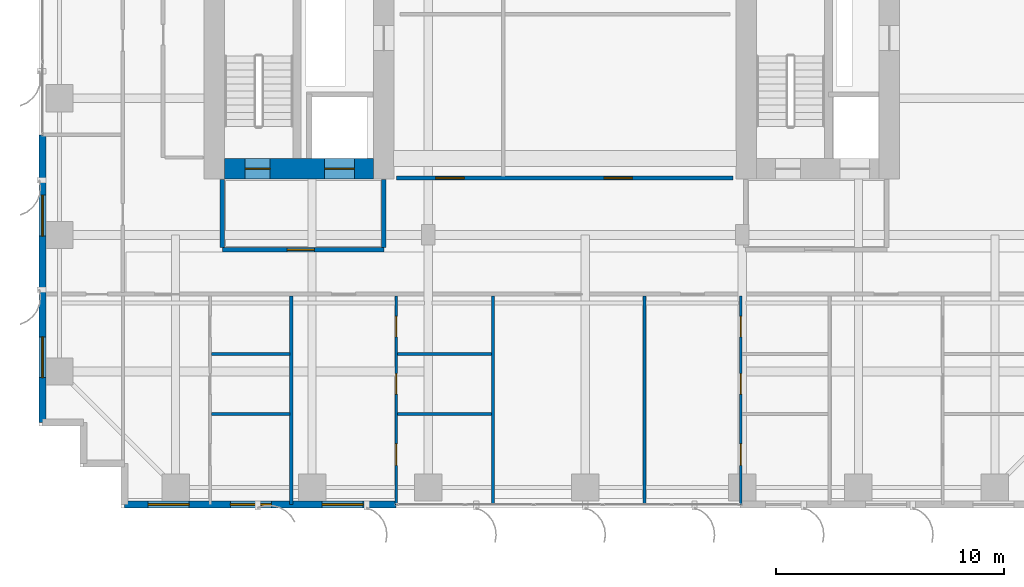
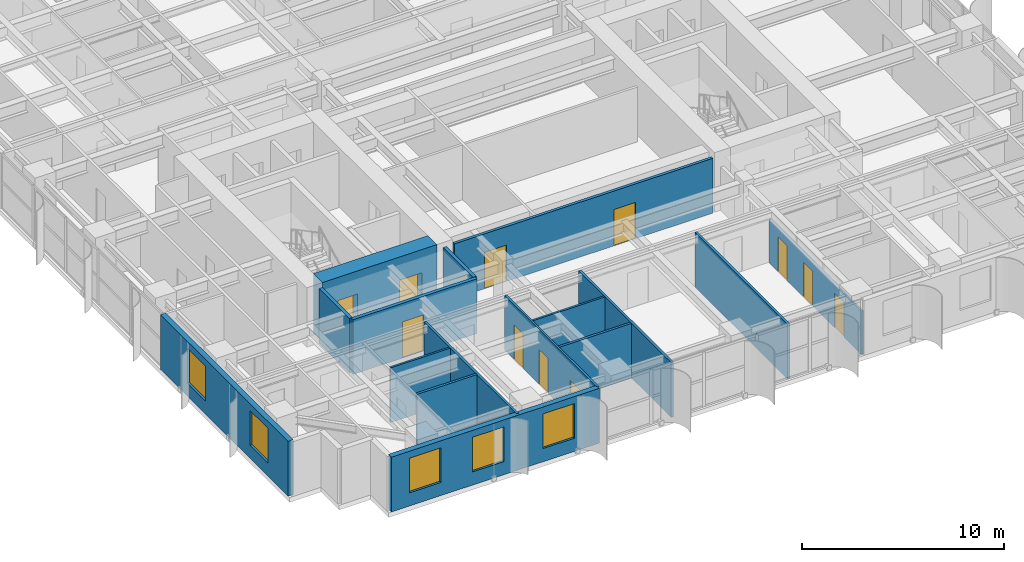
# One storey, part 15 of 23: 16 walls, 11 doors, 5 windows, 16 openings.
"""IFC4 building model written with IfcOpenShell, lengths in metres."""

from ifc_helpers import new_model, si_unit, direction, frame, frame_2d, origin, place, context, subcontext, project, spatial, rectangle, extrude, source, transform, mapped, material, layer, layer_set, type_object, element, fill, save


model = new_model("IFC4")

# Units and contexts
model_context = context("Model", 3, precision=1e-05, world=origin(), true_north=direction((0.0, 1.0)))
body_context = subcontext(model_context, "Body", "Model", "MODEL_VIEW")
ifc_project = project(units=[si_unit("LENGTHUNIT", "METRE"), si_unit("AREAUNIT", "SQUARE_METRE"), si_unit("VOLUMEUNIT", "CUBIC_METRE"), si_unit("PLANEANGLEUNIT", "RADIAN"), si_unit("MASSUNIT", "GRAM", prefix="KILO")], contexts=[model_context])

# Site, building, storey
site_placement = place(None, origin())
site = spatial("IfcSite", under=ifc_project, at=site_placement, CompositionType="ELEMENT")
building_placement = place(site_placement, origin())
building = spatial("IfcBuilding", under=site, at=building_placement, Name="Khoralis Quay Care Tower", CompositionType="ELEMENT")
storey_placement = place(building_placement, frame((0.0, 0.0, 33.300048828125)))
storey = spatial("IfcBuildingStorey", under=building, at=storey_placement, Name="L08", CompositionType="ELEMENT", Elevation=33.300048828125)

# Wall, opening, door
ifc_material_1 = material(Name="Gypsum plasterboard on acoustic metal stud")
ifc_layer_1 = layer(ifc_material_1, 0.199951171875)
ifc_layer_set_1 = layer_set([ifc_layer_1], Name="Gypsum plasterboard on acoustic metal stud")
wall_type_1 = type_object("IfcWallType", Name="WL-COMP-200", PredefinedType="PARTITIONING", material=ifc_layer_set_1)
wall_1_placement = place(storey_placement, frame((8.050048828125, 11.35009765625, 0.0), z_axis=(0.0, 0.0, 1.0), x_axis=(1.0, 0.0, 0.0)))
wall_1 = element("IfcWall", 1, at=wall_1_placement, inside=storey, type_object=wall_type_1, Name="L08 West Firefighting Lobby South Wall", PredefinedType="PARTITIONING", context=body_context, shape_type="SweptSolid", body=[
    extrude(rectangle(XDim=7.099853515625, YDim=0.199951171875, at=frame_2d((3.5498046875, 0.0))), origin(), (0.0, 0.0, 1.0), 3.320068359375),
])
opening_1_placement = place(wall_1_placement, frame((2.846435546875, 0.0, 0.0)))
opening_1 = element("IfcOpeningElement", 2, at=opening_1_placement, cuts=wall_1, Name="Opening FD1", PredefinedType="OPENING", context=body_context, shape_type="SweptSolid", body=[
    extrude(rectangle(XDim=1.199951171875, YDim=2.199951171875, at=frame_2d((0.60009765625, 1.10009765625))), frame((0.0, 0.10986328125, 0.0), z_axis=(0.0, -1.0, 0.0), x_axis=(1.0, 0.0, 0.0)), (0.0, 0.0, 1.0), 0.219970703125),
])
ifc_material_2 = material(Name="Fire-rated painted steel", Category="steel")
door_type_1 = type_object("IfcDoorType", Name="DR-FFL-1200X2200", OperationType="NOTDEFINED", PredefinedType="DOOR", material=ifc_material_2)
shared_shape_1 = source(origin(), body_context, "Body", "SweptSolid", [
    extrude(rectangle(XDim=1.199951171875, YDim=2.199951171875, at=frame_2d((0.60009765625, 1.10009765625))), frame((0.0, 0.02490234375, 0.0), z_axis=(0.0, -1.0, 0.0), x_axis=(1.0, 0.0, 0.0)), (0.0, 0.0, 1.0), 0.050048828125),
])
door_1_placement = place(opening_1_placement, origin())
door_1 = element("IfcDoor", 3, at=door_1_placement, inside=storey, type_object=door_type_1, Name="L08 West Firefighting Lobby Fire Door", OperationType="SINGLE_SWING_RIGHT", OverallHeight=2.199951171875, OverallWidth=1.199951171875, PredefinedType="DOOR", context=body_context, shape_type="MappedRepresentation", body=[
    mapped(shared_shape_1, transform((0.0, 0.0, 0.0), scale=1.0)),
])
fill(opening_1, door_1)

# Walls
for number, where, z_axis, x_axis, name in (
    (4, (8.050048828125, 11.445068359375, 0.0), (0.0, 0.0, 1.0), (0.0, 1.0, 0.0), "L08 West Firefighting Lobby West Wall"),
    (5, (15.14990234375, 11.445068359375, 0.0), (0.0, 0.0, 1.0), (0.0, 1.0, 0.0), "L08 West Firefighting Lobby East Wall"),
):
    element("IfcWall", number, at=place(storey_placement, frame(where, z_axis=z_axis, x_axis=x_axis)), inside=storey, type_object=wall_type_1, Name=name, PredefinedType="PARTITIONING", context=body_context, shape_type="SweptSolid", body=[
        extrude(rectangle(XDim=2.98486328125, YDim=0.199951171875, at=frame_2d((1.492431640625, 0.0))), origin(), (0.0, 0.0, 1.0), 3.320068359375),
    ])

# Wall, openings, doors
ifc_material_3 = material(Name="Concrete C80/95", Category="concrete")
ifc_layer_2 = layer(ifc_material_3, 0.89990234375)
ifc_layer_set_2 = layer_set([ifc_layer_2], Name="Concrete C80/95")
wall_type_2 = type_object("IfcWallType", Name="WL-CORE-900", PredefinedType="SHEAR", material=ifc_layer_set_2)
wall_2_placement = place(storey_placement, frame((8.14990234375, 14.89990234375, 0.0), z_axis=(0.0, 0.0, 1.0), x_axis=(1.0, 0.0, 0.0)))
wall_2 = element("IfcWall", 6, at=wall_2_placement, inside=storey, type_object=wall_type_2, Name="L08 WCORE South Shear Wall", PredefinedType="SHEAR", context=body_context, shape_type="SweptSolid", body=[
    extrude(rectangle(XDim=6.550048828125, YDim=0.89990234375, at=frame_2d((3.27490234375, 0.0))), origin(), (0.0, 0.0, 1.0), 3.599853515625),
])
opening_2_placement = place(wall_2_placement, frame((0.89990234375, 0.0, 0.0)))
opening_2 = element("IfcOpeningElement", 7, at=opening_2_placement, cuts=wall_2, Name="Opening SD1", PredefinedType="OPENING", context=body_context, shape_type="SweptSolid", body=[
    extrude(rectangle(XDim=1.10009765625, YDim=2.199951171875, at=frame_2d((0.550048828125, 1.10009765625))), frame((0.0, 0.4599609375, 0.0), z_axis=(0.0, -1.0, 0.0), x_axis=(1.0, 0.0, 0.0)), (0.0, 0.0, 1.0), 0.919921875),
])
opening_3_placement = place(wall_2_placement, frame((4.39990234375, 0.0, 0.0)))
opening_3 = element("IfcOpeningElement", 8, at=opening_3_placement, cuts=wall_2, Name="Opening LD2", PredefinedType="OPENING", context=body_context, shape_type="SweptSolid", body=[
    extrude(rectangle(XDim=1.300048828125, YDim=2.199951171875, at=frame_2d((0.64990234375, 1.10009765625))), frame((0.0, 0.4599609375, 0.0), z_axis=(0.0, -1.0, 0.0), x_axis=(1.0, 0.0, 0.0)), (0.0, 0.0, 1.0), 0.919921875),
])
door_type_2 = type_object("IfcDoorType", Name="DR-STAIR-1100X2200", OperationType="NOTDEFINED", PredefinedType="DOOR", material=ifc_material_2)
shared_shape_2 = source(origin(), body_context, "Body", "SweptSolid", [
    extrude(rectangle(XDim=1.10009765625, YDim=2.199951171875, at=frame_2d((0.550048828125, 1.10009765625))), frame((0.0, 0.02490234375, 0.0), z_axis=(0.0, -1.0, 0.0), x_axis=(1.0, 0.0, 0.0)), (0.0, 0.0, 1.0), 0.050048828125),
])
door_2_placement = place(opening_2_placement, origin())
door_2 = element("IfcDoor", 9, at=door_2_placement, inside=storey, type_object=door_type_2, Name="L08 Stair ST-T1 Fire Door", OperationType="SINGLE_SWING_RIGHT", OverallHeight=2.199951171875, OverallWidth=1.10009765625, PredefinedType="DOOR", context=body_context, shape_type="MappedRepresentation", body=[
    mapped(shared_shape_2, transform((0.0, 0.0, 0.0), scale=1.0)),
])
fill(opening_2, door_2)
ifc_material_4 = material(Name="Brushed stainless steel", Category="steel")
door_type_3 = type_object("IfcDoorType", Name="DR-LIFT-1300X2200", OperationType="SLIDING_TO_RIGHT", PredefinedType="DOOR", material=ifc_material_4)
shared_shape_3 = source(origin(), body_context, "Body", "SweptSolid", [
    extrude(rectangle(XDim=1.300048828125, YDim=2.199951171875, at=frame_2d((0.64990234375, 1.10009765625))), frame((0.0, 0.02490234375, 0.0), z_axis=(0.0, -1.0, 0.0), x_axis=(1.0, 0.0, 0.0)), (0.0, 0.0, 1.0), 0.050048828125),
])
door_3_placement = place(opening_3_placement, origin())
door_3 = element("IfcDoor", 10, at=door_3_placement, inside=storey, type_object=door_type_3, Name="L08 Firefighting Lift FFL-1 Landing Door", OperationType="SLIDING_TO_RIGHT", OverallHeight=2.199951171875, OverallWidth=1.300048828125, PredefinedType="DOOR", context=body_context, shape_type="MappedRepresentation", body=[
    mapped(shared_shape_3, transform((0.0, 0.0, 0.0), scale=1.0)),
])
fill(opening_3, door_3)

ifc_layer_3 = layer(ifc_material_1, 0.1650390625)
ifc_layer_set_3 = layer_set([ifc_layer_3], Name="Gypsum plasterboard on acoustic metal stud")
wall_type_3 = type_object("IfcWallType", Name="WL-CORR-165", PredefinedType="PARTITIONING", material=ifc_layer_set_3)
wall_3_placement = place(storey_placement, frame((15.699951171875, 14.5, 0.0), z_axis=(0.0, 0.0, 1.0), x_axis=(1.0, 0.0, 0.0)))
wall_3 = element("IfcWall", 11, at=wall_3_placement, inside=storey, type_object=wall_type_3, Name="L08 Central Clinical South Wall", PredefinedType="PARTITIONING", context=body_context, shape_type="SweptSolid", body=[
    extrude(rectangle(XDim=14.800048828125, YDim=0.1650390625, at=frame_2d((7.39990234375, 0.0))), origin(), (0.0, 0.0, 1.0), 3.320068359375),
])
opening_4_placement = place(wall_3_placement, frame((1.72509765625, 0.0, 0.0)))
opening_4 = element("IfcOpeningElement", 12, at=opening_4_placement, cuts=wall_3, Name="Opening CD1", PredefinedType="OPENING", context=body_context, shape_type="SweptSolid", body=[
    extrude(rectangle(XDim=1.25, YDim=2.199951171875, at=frame_2d((0.625, 1.10009765625))), frame((0.0, 0.092529296875, 0.0), z_axis=(0.0, -1.0, 0.0), x_axis=(1.0, 0.0, 0.0)), (0.0, 0.0, 1.0), 0.18505859375),
])
opening_5_placement = place(wall_3_placement, frame((9.125, 0.0, 0.0)))
opening_5 = element("IfcOpeningElement", 13, at=opening_5_placement, cuts=wall_3, Name="Opening CD1", PredefinedType="OPENING", context=body_context, shape_type="SweptSolid", body=[
    extrude(rectangle(XDim=1.25, YDim=2.199951171875, at=frame_2d((0.625, 1.10009765625))), frame((0.0, 0.092529296875, 0.0), z_axis=(0.0, -1.0, 0.0), x_axis=(1.0, 0.0, 0.0)), (0.0, 0.0, 1.0), 0.18505859375),
])
ifc_material_5 = material(Name="Acoustic hardwood timber", Category="wood")
door_type_4 = type_object("IfcDoorType", Name="DR-CARE-1250X2200", OperationType="NOTDEFINED", PredefinedType="DOOR", material=ifc_material_5)
shared_shape_4 = source(origin(), body_context, "Body", "SweptSolid", [
    extrude(rectangle(XDim=1.25, YDim=2.199951171875, at=frame_2d((0.625, 1.10009765625))), frame((0.0, 0.02490234375, 0.0), z_axis=(0.0, -1.0, 0.0), x_axis=(1.0, 0.0, 0.0)), (0.0, 0.0, 1.0), 0.050048828125),
])
door_4_placement = place(opening_4_placement, origin())
door_4 = element("IfcDoor", 14, at=door_4_placement, inside=storey, type_object=door_type_4, Name="L08 Nurse Station Door", OperationType="SINGLE_SWING_LEFT", OverallHeight=2.199951171875, OverallWidth=1.25, PredefinedType="DOOR", context=body_context, shape_type="MappedRepresentation", body=[
    mapped(shared_shape_4, transform((0.0, 0.0, 0.0), scale=1.0)),
])
fill(opening_4, door_4)
door_5_placement = place(opening_5_placement, origin())
door_5 = element("IfcDoor", 15, at=door_5_placement, inside=storey, type_object=door_type_4, Name="L08 Treatment Clinic Door", OperationType="SINGLE_SWING_RIGHT", OverallHeight=2.199951171875, OverallWidth=1.25, PredefinedType="DOOR", context=body_context, shape_type="MappedRepresentation", body=[
    mapped(shared_shape_4, transform((0.0, 0.0, 0.0), scale=1.0)),
])
fill(opening_5, door_5)

# Wall, openings, windows
ifc_material_6 = material(Name="Precast concrete C45/55", Category="concrete")
ifc_layer_4 = layer(ifc_material_6, 0.300048828125)
ifc_layer_set_4 = layer_set([ifc_layer_4], Name="Precast concrete C45/55")
wall_type_4 = type_object("IfcWallType", Name="WL-EXT-REF-300", PredefinedType="SOLIDWALL", material=ifc_layer_set_4)
wall_4_placement = place(storey_placement, frame((3.75, 0.14990234375, 0.0), z_axis=(0.0, 0.0, 1.0), x_axis=(1.0, 0.0, 0.0)))
wall_4 = element("IfcWall", 16, at=wall_4_placement, inside=storey, type_object=wall_type_4, Name="L08 External Facade Wall WL-EXT-L08-P1-E0A", PredefinedType="SOLIDWALL", context=body_context, shape_type="SweptSolid", body=[
    extrude(rectangle(XDim=11.93701171875, YDim=0.300048828125, at=frame_2d((5.968505859375, 0.0))), origin(), (0.0, 0.0, 1.0), 3.320068359375),
])
opening_6_placement = place(wall_4_placement, frame((1.0390625, 0.0, 0.800048828125)))
opening_6 = element("IfcOpeningElement", 17, at=opening_6_placement, cuts=wall_4, Name="Opening W2", PredefinedType="OPENING", context=body_context, shape_type="SweptSolid", body=[
    extrude(rectangle(XDim=1.800048828125, YDim=2.10009765625, at=frame_2d((0.89990234375, 1.050048828125))), frame((0.0, 0.16015625, 0.0), z_axis=(0.0, -1.0, 0.0), x_axis=(1.0, 0.0, 0.0)), (0.0, 0.0, 1.0), 0.320068359375),
])
opening_7_placement = place(wall_4_placement, frame((4.654052734375, 0.0, 0.800048828125)))
opening_7 = element("IfcOpeningElement", 18, at=opening_7_placement, cuts=wall_4, Name="Opening W2", PredefinedType="OPENING", context=body_context, shape_type="SweptSolid", body=[
    extrude(rectangle(XDim=1.800048828125, YDim=2.10009765625, at=frame_2d((0.89990234375, 1.050048828125))), frame((0.0, 0.16015625, 0.0), z_axis=(0.0, -1.0, 0.0), x_axis=(1.0, 0.0, 0.0)), (0.0, 0.0, 1.0), 0.320068359375),
])
opening_8_placement = place(wall_4_placement, frame((8.68359375, 0.0, 0.800048828125)))
opening_8 = element("IfcOpeningElement", 19, at=opening_8_placement, cuts=wall_4, Name="Opening W2", PredefinedType="OPENING", context=body_context, shape_type="SweptSolid", body=[
    extrude(rectangle(XDim=1.800048828125, YDim=2.10009765625, at=frame_2d((0.89990234375, 1.050048828125))), frame((0.0, 0.16015625, 0.0), z_axis=(0.0, -1.0, 0.0), x_axis=(1.0, 0.0, 0.0)), (0.0, 0.0, 1.0), 0.320068359375),
])
ifc_material_7 = material(Name="Low-E solar-control double glazing", Category="glass")
window_type = type_object("IfcWindowType", Name="WN-POD-1800X2100", PartitioningType="SINGLE_PANEL", PredefinedType="WINDOW", material=ifc_material_7)
shared_shape_5 = source(origin(), body_context, "Body", "SweptSolid", [
    extrude(rectangle(XDim=1.800048828125, YDim=2.10009765625, at=frame_2d((0.89990234375, 1.050048828125))), frame((0.0, 0.030029296875, 0.0), z_axis=(0.0, -1.0, 0.0), x_axis=(1.0, 0.0, 0.0)), (0.0, 0.0, 1.0), 0.06005859375),
])
window_1_placement = place(opening_6_placement, origin())
window_1 = element("IfcWindow", 20, at=window_1_placement, inside=storey, type_object=window_type, Name="WN-L08-P1-E0A Facade Window 01", OverallHeight=2.10009765625, OverallWidth=1.800048828125, PartitioningType="SINGLE_PANEL", PredefinedType="WINDOW", context=body_context, shape_type="MappedRepresentation", body=[
    mapped(shared_shape_5, transform((0.0, 0.0, 0.0), scale=1.0)),
])
fill(opening_6, window_1)
window_2_placement = place(opening_7_placement, origin())
window_2 = element("IfcWindow", 21, at=window_2_placement, inside=storey, type_object=window_type, Name="WN-L08-P1-E0A Facade Window 02", OverallHeight=2.10009765625, OverallWidth=1.800048828125, PartitioningType="SINGLE_PANEL", PredefinedType="WINDOW", context=body_context, shape_type="MappedRepresentation", body=[
    mapped(shared_shape_5, transform((0.0, 0.0, 0.0), scale=1.0)),
])
fill(opening_7, window_2)
window_3_placement = place(opening_8_placement, origin())
window_3 = element("IfcWindow", 22, at=window_3_placement, inside=storey, type_object=window_type, Name="WN-L08-P1-E0A Facade Window 03", OverallHeight=2.10009765625, OverallWidth=1.800048828125, PartitioningType="SINGLE_PANEL", PredefinedType="WINDOW", context=body_context, shape_type="MappedRepresentation", body=[
    mapped(shared_shape_5, transform((0.0, 0.0, 0.0), scale=1.0)),
])
fill(opening_8, window_3)

wall_5_placement = place(storey_placement, frame((0.14990234375, 16.39990234375, 0.0), z_axis=(0.0, 0.0, 1.0), x_axis=(0.0, -1.0, 0.0)))
wall_5 = element("IfcWall", 23, at=wall_5_placement, inside=storey, type_object=wall_type_4, Name="L08 External Facade Wall WL-EXT-L08-P1-E15B", PredefinedType="SOLIDWALL", context=body_context, shape_type="SweptSolid", body=[
    extrude(rectangle(XDim=12.64990234375, YDim=0.300048828125, at=frame_2d((6.324951171875, 0.0))), origin(), (0.0, 0.0, 1.0), 3.320068359375),
])
opening_9_placement = place(wall_5_placement, frame((2.64990234375, 0.0, 0.800048828125)))
opening_9 = element("IfcOpeningElement", 24, at=opening_9_placement, cuts=wall_5, Name="Opening W2", PredefinedType="OPENING", context=body_context, shape_type="SweptSolid", body=[
    extrude(rectangle(XDim=1.800048828125, YDim=2.10009765625, at=frame_2d((0.89990234375, 1.050048828125))), frame((0.0, 0.16015625, 0.0), z_axis=(0.0, -1.0, 0.0), x_axis=(1.0, 0.0, 0.0)), (0.0, 0.0, 1.0), 0.320068359375),
])
opening_10_placement = place(wall_5_placement, frame((8.875, 0.0, 0.800048828125)))
opening_10 = element("IfcOpeningElement", 25, at=opening_10_placement, cuts=wall_5, Name="Opening W2", PredefinedType="OPENING", context=body_context, shape_type="SweptSolid", body=[
    extrude(rectangle(XDim=1.800048828125, YDim=2.10009765625, at=frame_2d((0.89990234375, 1.050048828125))), frame((0.0, 0.16015625, 0.0), z_axis=(0.0, -1.0, 0.0), x_axis=(1.0, 0.0, 0.0)), (0.0, 0.0, 1.0), 0.320068359375),
])
window_4_placement = place(opening_9_placement, origin())
window_4 = element("IfcWindow", 26, at=window_4_placement, inside=storey, type_object=window_type, Name="WN-L08-P1-E15B Facade Window 01", OverallHeight=2.10009765625, OverallWidth=1.800048828125, PartitioningType="SINGLE_PANEL", PredefinedType="WINDOW", context=body_context, shape_type="MappedRepresentation", body=[
    mapped(shared_shape_5, transform((0.0, 0.0, 0.0), scale=1.0)),
])
fill(opening_9, window_4)
window_5_placement = place(opening_10_placement, origin())
window_5 = element("IfcWindow", 27, at=window_5_placement, inside=storey, type_object=window_type, Name="WN-L08-P1-E15B Facade Window 02", OverallHeight=2.10009765625, OverallWidth=1.800048828125, PartitioningType="SINGLE_PANEL", PredefinedType="WINDOW", context=body_context, shape_type="MappedRepresentation", body=[
    mapped(shared_shape_5, transform((0.0, 0.0, 0.0), scale=1.0)),
])
fill(opening_10, window_5)

# Wall
ifc_layer_5 = layer(ifc_material_1, 0.114990234375)
ifc_layer_set_5 = layer_set([ifc_layer_5], Name="Gypsum plasterboard on acoustic metal stud")
wall_type_5 = type_object("IfcWallType", Name="WL-PART-115", PredefinedType="PARTITIONING", material=ifc_layer_set_5)
wall_6_placement = place(storey_placement, frame((7.58056640625, 6.76806640625, 0.0), z_axis=(0.0, 0.0, 1.0), x_axis=(1.0, 0.0, 0.0)))
element("IfcWall", 28, at=wall_6_placement, inside=storey, type_object=wall_type_5, Name="L08 Unit 0 Kitchen Wall", PredefinedType="PARTITIONING", context=body_context, shape_type="SweptSolid", body=[
    extrude(rectangle(XDim=3.434326171875, YDim=0.114990234375, at=frame_2d((1.71728515625, 0.0))), origin(), (0.0, 0.0, 1.0), 3.320068359375),
])

# Wall, openings, doors
wall_7_placement = place(storey_placement, frame((15.68701171875, 0.14501953125, 0.0), z_axis=(0.0, 0.0, 1.0), x_axis=(0.0, 1.0, 0.0)))
wall_7 = element("IfcWall", 29, at=wall_7_placement, inside=storey, type_object=wall_type_5, Name="L08 Unit 1 Internal Wall", PredefinedType="PARTITIONING", context=body_context, shape_type="SweptSolid", body=[
    extrude(rectangle(XDim=9.177490234375, YDim=0.114990234375, at=frame_2d((4.5888671875, 0.0))), origin(), (0.0, 0.0, 1.0), 3.320068359375),
])
opening_11_placement = place(wall_7_placement, frame((1.722900390625, 0.0, 0.0)))
opening_11 = element("IfcOpeningElement", 30, at=opening_11_placement, cuts=wall_7, Name="Opening ID1", PredefinedType="OPENING", context=body_context, shape_type="SweptSolid", body=[
    extrude(rectangle(XDim=0.949951171875, YDim=2.10009765625, at=frame_2d((0.47509765625, 1.050048828125))), frame((0.0, 0.0673828125, 0.0), z_axis=(0.0, -1.0, 0.0), x_axis=(1.0, 0.0, 0.0)), (0.0, 0.0, 1.0), 0.135009765625),
])
opening_12_placement = place(wall_7_placement, frame((4.85693359375, 0.0, 0.0)))
opening_12 = element("IfcOpeningElement", 31, at=opening_12_placement, cuts=wall_7, Name="Opening WD1", PredefinedType="OPENING", context=body_context, shape_type="SweptSolid", body=[
    extrude(rectangle(XDim=0.89990234375, YDim=2.10009765625, at=frame_2d((0.449951171875, 1.050048828125))), frame((0.0, 0.0673828125, 0.0), z_axis=(0.0, -1.0, 0.0), x_axis=(1.0, 0.0, 0.0)), (0.0, 0.0, 1.0), 0.135009765625),
])
opening_13_placement = place(wall_7_placement, frame((7.3740234375, 0.0, 0.0)))
opening_13 = element("IfcOpeningElement", 32, at=opening_13_placement, cuts=wall_7, Name="Opening WD1", PredefinedType="OPENING", context=body_context, shape_type="SweptSolid", body=[
    extrude(rectangle(XDim=0.89990234375, YDim=2.10009765625, at=frame_2d((0.449951171875, 1.050048828125))), frame((0.0, 0.0673828125, 0.0), z_axis=(0.0, -1.0, 0.0), x_axis=(1.0, 0.0, 0.0)), (0.0, 0.0, 1.0), 0.135009765625),
])
door_type_5 = type_object("IfcDoorType", Name="DR-BATH-900X2100", OperationType="NOTDEFINED", PredefinedType="DOOR", material=ifc_material_5)
shared_shape_6 = source(origin(), body_context, "Body", "SweptSolid", [
    extrude(rectangle(XDim=0.89990234375, YDim=2.10009765625, at=frame_2d((0.449951171875, 1.050048828125))), frame((0.0, 0.02490234375, 0.0), z_axis=(0.0, -1.0, 0.0), x_axis=(1.0, 0.0, 0.0)), (0.0, 0.0, 1.0), 0.050048828125),
])
door_6_placement = place(opening_12_placement, frame((0.89990234375, 0.0, 0.0), z_axis=(0.0, 0.0, 1.0), x_axis=(-1.0, 0.0, 0.0)))
door_6 = element("IfcDoor", 33, at=door_6_placement, inside=storey, type_object=door_type_5, Name="L08 Apartment SB1 KIT Door", OperationType="SINGLE_SWING_LEFT", OverallHeight=2.10009765625, OverallWidth=0.89990234375, PredefinedType="DOOR", context=body_context, shape_type="MappedRepresentation", body=[
    mapped(shared_shape_6, transform((0.0, 0.0, 0.0), scale=1.0)),
])
fill(opening_12, door_6)
door_7_placement = place(opening_13_placement, frame((0.89990234375, 0.0, 0.0), z_axis=(0.0, 0.0, 1.0), x_axis=(-1.0, 0.0, 0.0)))
door_7 = element("IfcDoor", 34, at=door_7_placement, inside=storey, type_object=door_type_5, Name="L08 Apartment SB1 BTH Door", OperationType="SINGLE_SWING_RIGHT", OverallHeight=2.10009765625, OverallWidth=0.89990234375, PredefinedType="DOOR", context=body_context, shape_type="MappedRepresentation", body=[
    mapped(shared_shape_6, transform((0.0, 0.0, 0.0), scale=1.0)),
])
fill(opening_13, door_7)
door_type_6 = type_object("IfcDoorType", Name="DR-ROOM-950X2100", OperationType="NOTDEFINED", PredefinedType="DOOR", material=ifc_material_5)
shared_shape_7 = source(origin(), body_context, "Body", "SweptSolid", [
    extrude(rectangle(XDim=0.949951171875, YDim=2.10009765625, at=frame_2d((0.47509765625, 1.050048828125))), frame((0.0, 0.02490234375, 0.0), z_axis=(0.0, -1.0, 0.0), x_axis=(1.0, 0.0, 0.0)), (0.0, 0.0, 1.0), 0.050048828125),
])
door_8_placement = place(opening_11_placement, frame((0.949951171875, 0.0, 0.0), z_axis=(0.0, 0.0, 1.0), x_axis=(-1.0, 0.0, 0.0)))
door_8 = element("IfcDoor", 35, at=door_8_placement, inside=storey, type_object=door_type_6, Name="L08 Apartment SB1 BED Door", OperationType="SINGLE_SWING_RIGHT", OverallHeight=2.10009765625, OverallWidth=0.949951171875, PredefinedType="DOOR", context=body_context, shape_type="MappedRepresentation", body=[
    mapped(shared_shape_7, transform((0.0, 0.0, 0.0), scale=1.0)),
])
fill(opening_11, door_8)

# Wall
wall_8_placement = place(storey_placement, frame((15.739501953125, 6.76806640625, 0.0), z_axis=(0.0, 0.0, 1.0), x_axis=(1.0, 0.0, 0.0)))
element("IfcWall", 36, at=wall_8_placement, inside=storey, type_object=wall_type_5, Name="L08 Unit 1 Kitchen Wall", PredefinedType="PARTITIONING", context=body_context, shape_type="SweptSolid", body=[
    extrude(rectangle(XDim=4.135498046875, YDim=0.114990234375, at=frame_2d((2.06787109375, 0.0))), origin(), (0.0, 0.0, 1.0), 3.320068359375),
])

# Wall, openings, doors
wall_9_placement = place(storey_placement, frame((30.827880859375, 0.14501953125, 0.0), z_axis=(0.0, 0.0, 1.0), x_axis=(0.0, 1.0, 0.0)))
wall_9 = element("IfcWall", 37, at=wall_9_placement, inside=storey, type_object=wall_type_5, Name="L08 Unit 3 Internal Wall", PredefinedType="PARTITIONING", context=body_context, shape_type="SweptSolid", body=[
    extrude(rectangle(XDim=9.177490234375, YDim=0.114990234375, at=frame_2d((4.5888671875, 0.0))), origin(), (0.0, 0.0, 1.0), 2.625),
])
opening_14_placement = place(wall_9_placement, frame((1.722900390625, 0.0, 0.0)))
opening_14 = element("IfcOpeningElement", 38, at=opening_14_placement, cuts=wall_9, Name="Opening ID1", PredefinedType="OPENING", context=body_context, shape_type="SweptSolid", body=[
    extrude(rectangle(XDim=0.949951171875, YDim=2.10009765625, at=frame_2d((0.47509765625, 1.050048828125))), frame((0.0, 0.0673828125, 0.0), z_axis=(0.0, -1.0, 0.0), x_axis=(1.0, 0.0, 0.0)), (0.0, 0.0, 1.0), 0.135009765625),
])
opening_15_placement = place(wall_9_placement, frame((4.85693359375, 0.0, 0.0)))
opening_15 = element("IfcOpeningElement", 39, at=opening_15_placement, cuts=wall_9, Name="Opening WD1", PredefinedType="OPENING", context=body_context, shape_type="SweptSolid", body=[
    extrude(rectangle(XDim=0.89990234375, YDim=2.10009765625, at=frame_2d((0.449951171875, 1.050048828125))), frame((0.0, 0.0673828125, 0.0), z_axis=(0.0, -1.0, 0.0), x_axis=(1.0, 0.0, 0.0)), (0.0, 0.0, 1.0), 0.135009765625),
])
opening_16_placement = place(wall_9_placement, frame((7.3740234375, 0.0, 0.0)))
opening_16 = element("IfcOpeningElement", 40, at=opening_16_placement, cuts=wall_9, Name="Opening WD1", PredefinedType="OPENING", context=body_context, shape_type="SweptSolid", body=[
    extrude(rectangle(XDim=0.89990234375, YDim=2.10009765625, at=frame_2d((0.449951171875, 1.050048828125))), frame((0.0, 0.0673828125, 0.0), z_axis=(0.0, -1.0, 0.0), x_axis=(1.0, 0.0, 0.0)), (0.0, 0.0, 1.0), 0.135009765625),
])
door_9_placement = place(opening_15_placement, frame((0.89990234375, 0.0, 0.0), z_axis=(0.0, 0.0, 1.0), x_axis=(-1.0, 0.0, 0.0)))
door_9 = element("IfcDoor", 41, at=door_9_placement, inside=storey, type_object=door_type_5, Name="L08 Apartment SB3 KIT Door", OperationType="SINGLE_SWING_LEFT", OverallHeight=2.10009765625, OverallWidth=0.89990234375, PredefinedType="DOOR", context=body_context, shape_type="MappedRepresentation", body=[
    mapped(shared_shape_6, transform((0.0, 0.0, 0.0), scale=1.0)),
])
fill(opening_15, door_9)
door_10_placement = place(opening_16_placement, frame((0.89990234375, 0.0, 0.0), z_axis=(0.0, 0.0, 1.0), x_axis=(-1.0, 0.0, 0.0)))
door_10 = element("IfcDoor", 42, at=door_10_placement, inside=storey, type_object=door_type_5, Name="L08 Apartment SB3 BTH Door", OperationType="SINGLE_SWING_RIGHT", OverallHeight=2.10009765625, OverallWidth=0.89990234375, PredefinedType="DOOR", context=body_context, shape_type="MappedRepresentation", body=[
    mapped(shared_shape_6, transform((0.0, 0.0, 0.0), scale=1.0)),
])
fill(opening_16, door_10)
door_11_placement = place(opening_14_placement, frame((0.949951171875, 0.0, 0.0), z_axis=(0.0, 0.0, 1.0), x_axis=(-1.0, 0.0, 0.0)))
door_11 = element("IfcDoor", 43, at=door_11_placement, inside=storey, type_object=door_type_6, Name="L08 Apartment SB3 BED Door", OperationType="SINGLE_SWING_RIGHT", OverallHeight=2.10009765625, OverallWidth=0.949951171875, PredefinedType="DOOR", context=body_context, shape_type="MappedRepresentation", body=[
    mapped(shared_shape_7, transform((0.0, 0.0, 0.0), scale=1.0)),
])
fill(opening_14, door_11)

# Walls
ifc_material_8 = material(Name="Moisture-resistant gypsum and ceramic tile")
ifc_layer_6 = layer(ifc_material_8, 0.280029296875)
ifc_layer_set_6 = layer_set([ifc_layer_6], Name="Moisture-resistant gypsum and ceramic tile")
wall_type_6 = type_object("IfcWallType", Name="WL-PLUMB-280", PredefinedType="PLUMBINGWALL", material=ifc_layer_set_6)
wall_10_placement = place(storey_placement, frame((7.58056640625, 4.135986328125, 0.0), z_axis=(0.0, 0.0, 1.0), x_axis=(1.0, 0.0, 0.0)))
element("IfcWall", 44, at=wall_10_placement, inside=storey, type_object=wall_type_6, Name="L08 Unit 0 Wet Wall", PredefinedType="PLUMBINGWALL", context=body_context, shape_type="SweptSolid", body=[
    extrude(rectangle(XDim=3.434326171875, YDim=0.139892578125, at=frame_2d((1.71728515625, 0.0))), origin(), (0.0, 0.0, 1.0), 3.320068359375),
])
wall_11_placement = place(storey_placement, frame((15.739501953125, 4.135986328125, 0.0), z_axis=(0.0, 0.0, 1.0), x_axis=(1.0, 0.0, 0.0)))
element("IfcWall", 45, at=wall_11_placement, inside=storey, type_object=wall_type_6, Name="L08 Unit 1 Wet Wall", PredefinedType="PLUMBINGWALL", context=body_context, shape_type="SweptSolid", body=[
    extrude(rectangle(XDim=4.135498046875, YDim=0.139892578125, at=frame_2d((2.06787109375, 0.0))), origin(), (0.0, 0.0, 1.0), 3.320068359375),
])
ifc_layer_7 = layer(ifc_material_1, 0.139892578125)
ifc_layer_set_7 = layer_set([ifc_layer_7], Name="Gypsum plasterboard on acoustic metal stud")
wall_type_7 = type_object("IfcWallType", Name="WL-UNIT-140", PredefinedType="PARTITIONING", material=ifc_layer_set_7)
for number, where, z_axis, x_axis, name in (
    (46, (11.080078125, 0.14501953125, 0.0), (0.0, 0.0, 1.0), (0.0, 1.0, 0.0), "L08 SB Demising Wall 1"),
    (47, (19.93994140625, 0.14501953125, 0.0), (0.0, 0.0, 1.0), (0.0, 1.0, 0.0), "L08 SB Demising Wall 2"),
    (48, (26.60009765625, 0.14501953125, 0.0), (0.0, 0.0, 1.0), (0.0, 1.0, 0.0), "L08 SB Demising Wall 3"),
):
    element("IfcWall", number, at=place(storey_placement, frame(where, z_axis=z_axis, x_axis=x_axis)), inside=storey, type_object=wall_type_7, Name=name, PredefinedType="PARTITIONING", context=body_context, shape_type="SweptSolid", body=[
        extrude(rectangle(XDim=9.177490234375, YDim=0.139892578125, at=frame_2d((4.5888671875, 0.0))), origin(), (0.0, 0.0, 1.0), 3.320068359375),
    ])

save(model, "model.ifc")
